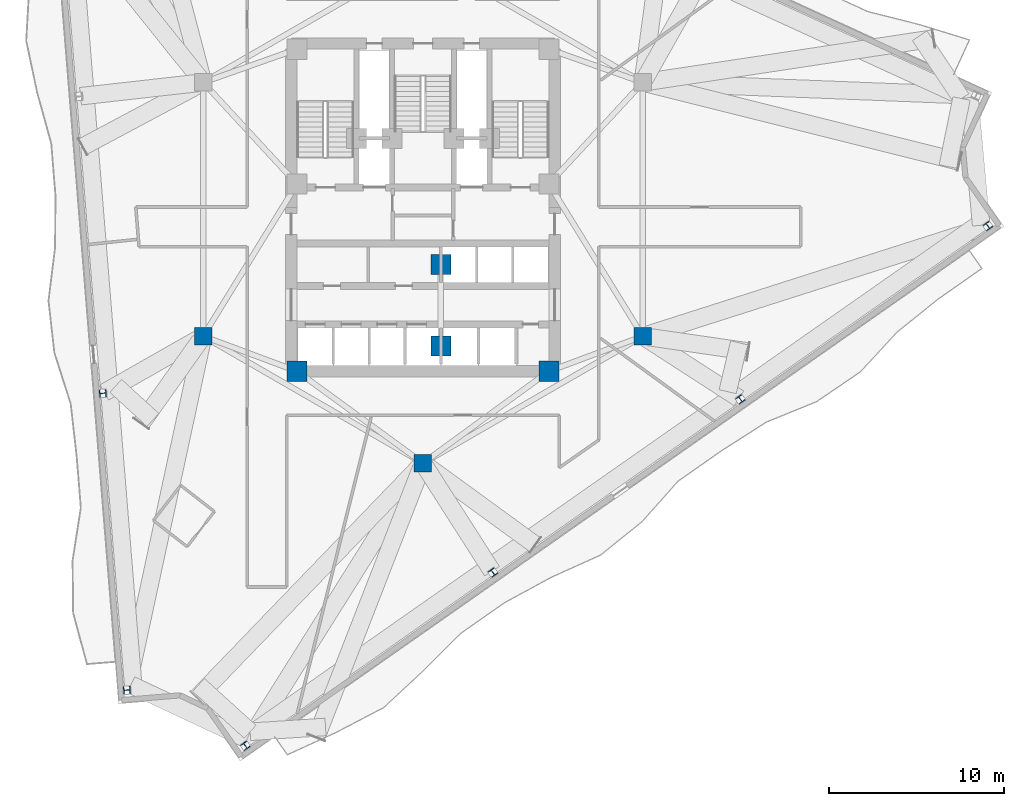
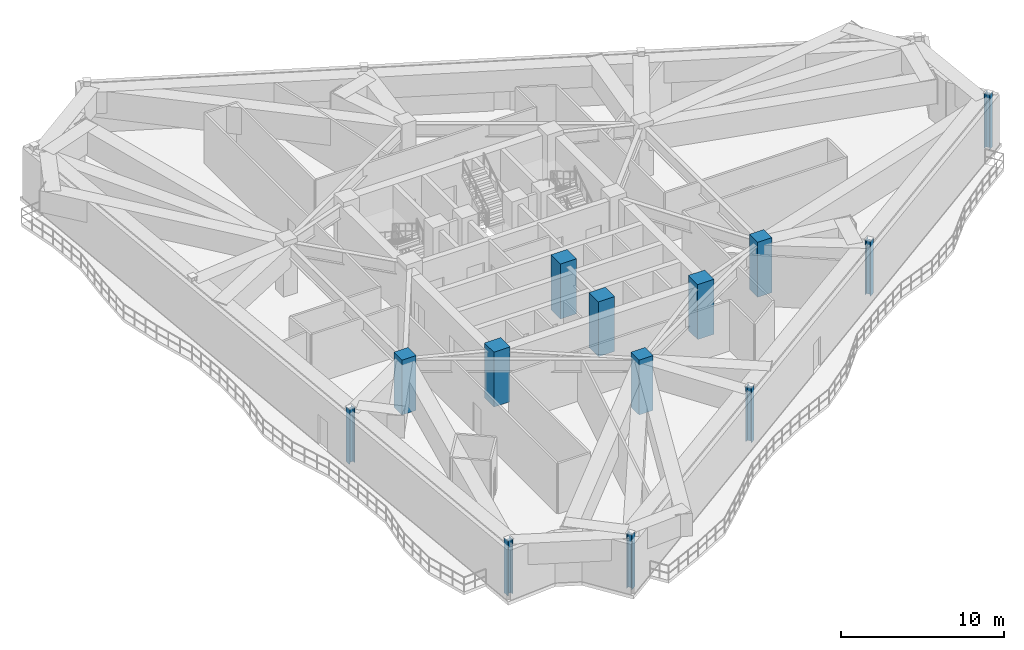
# One storey, part 1 of 14: 13 columns.
"""IFC4 building model written with IfcOpenShell, lengths in metres."""

from ifc_helpers import new_model, si_unit, direction, frame, origin, origin_2d, place, context, subcontext, project, spatial, rectangle, i_section, extrude, material, material_profile, profile_set, type_object, element, save


model = new_model("IFC4")

# Units and contexts
model_context = context("Model", 3, precision=1e-05, world=origin(), true_north=direction((0.0, 1.0)))
body_context = subcontext(model_context, "Body", "Model", "MODEL_VIEW")
ifc_project = project(units=[si_unit("LENGTHUNIT", "METRE"), si_unit("AREAUNIT", "SQUARE_METRE"), si_unit("VOLUMEUNIT", "CUBIC_METRE"), si_unit("PLANEANGLEUNIT", "RADIAN"), si_unit("MASSUNIT", "GRAM", prefix="KILO")], contexts=[model_context])

# Site, building, storey
site_placement = place(None, origin())
site = spatial("IfcSite", under=ifc_project, at=site_placement, CompositionType="ELEMENT")
building_placement = place(site_placement, origin())
building = spatial("IfcBuilding", under=site, at=building_placement, Name="Apsidion Concourse Tower", CompositionType="ELEMENT")
storey_placement = place(building_placement, frame((0.0, 0.0, 222.89990234375)))
storey = spatial("IfcBuildingStorey", under=building, at=storey_placement, Name="L52", CompositionType="ELEMENT", Elevation=222.89990234375)

# Columns
ifc_material_1 = material(Name="Concrete C50/60", Category="concrete")
ifc_material_profile_1 = material_profile(ifc_material_1, rectangle(XDim=1.0, YDim=1.0, at=origin_2d()), Name="RC 1000x1000")
ifc_profile_set_1 = profile_set([ifc_material_profile_1], Name="Concrete C50/60")
column_type_1 = type_object("IfcColumnType", Name="COL-RC-1000", PredefinedType="COLUMN", material=ifc_profile_set_1)
for number, where, z_axis, x_axis, name in (
    (1, (-12.56005859375, -7.25, 0.0), (0.0, 0.0, 1.0), (1.0, 0.0, 0.0), "L52 Interior Spine Column IC1"),
    (2, (12.56005859375, -7.25, 0.0), (0.0, 0.0, 1.0), (1.0, 0.0, 0.0), "L52 Interior Spine Column IC2"),
    (3, (0.0, -14.5, 0.0), (0.0, 0.0, 1.0), (1.0, 0.0, 0.0), "L52 Interior Spine Column IC6"),
):
    element("IfcColumn", number, at=place(storey_placement, frame(where, z_axis=z_axis, x_axis=x_axis)), inside=storey, type_object=column_type_1, Name=name, PredefinedType="COLUMN", context=body_context, shape_type="SweptSolid", body=[
        extrude(rectangle(XDim=1.0, YDim=1.0, at=origin_2d()), origin(), (0.0, 0.0, 1.0), 4.10009765625),
    ])
ifc_material_profile_2 = material_profile(ifc_material_1, rectangle(XDim=1.14990234375, YDim=1.14990234375, at=origin_2d()), Name="RC 1150x1150")
ifc_profile_set_2 = profile_set([ifc_material_profile_2], Name="Concrete C50/60")
column_type_2 = type_object("IfcColumnType", Name="COL-RC-1150", PredefinedType="COLUMN", material=ifc_profile_set_2)
for number, where, z_axis, x_axis, name in (
    (4, (-7.199951171875, -9.25, 0.0), (0.0, 0.0, 1.0), (1.0, 0.0, 0.0), "L52 Core Super-Column SC1"),
    (5, (7.199951171875, -9.25, 0.0), (0.0, 0.0, 1.0), (1.0, 0.0, 0.0), "L52 Core Super-Column SC2"),
    (6, (1.02490234375, -3.14990234375, 0.0), (0.0, 0.0, 1.0), (1.0, 0.0, 0.0), "L52 Core Super-Column CC5"),
    (7, (1.02490234375, -7.800048828125, 0.0), (0.0, 0.0, 1.0), (1.0, 0.0, 0.0), "L52 Core Super-Column CC6"),
):
    element("IfcColumn", number, at=place(storey_placement, frame(where, z_axis=z_axis, x_axis=x_axis)), inside=storey, type_object=column_type_2, Name=name, PredefinedType="COLUMN", context=body_context, shape_type="SweptSolid", body=[
        extrude(rectangle(XDim=1.14990234375, YDim=1.14990234375, at=origin_2d()), origin(), (0.0, 0.0, 1.0), 4.10009765625),
    ])
ifc_material_2 = material(Name="Structural steel ASTM A992 Grade 50", Category="steel")
ifc_material_profile_3 = material_profile(ifc_material_2, i_section(OverallWidth=0.39892578125, OverallDepth=0.385986328125, WebThickness=0.02099609375, FlangeThickness=0.033203125, at=origin_2d()), Name="W14X176")
ifc_profile_set_3 = profile_set([ifc_material_profile_3], Name="Structural steel ASTM A992 Grade 50")
column_type_3 = type_object("IfcColumnType", Name="COL-W14-176", PredefinedType="COLUMN", material=ifc_profile_set_3)
for number, where, z_axis, x_axis, name in (
    (8, (-18.28955078125, -10.510498046875, 0.0), (0.0, 0.0, 1.0), (-0.080720825512, 0.996736749763, 0.0), "L52 Rotated Perimeter Column PC03"),
    (9, (-16.915283203125, -27.47216796875, 0.0), (0.0, 0.0, 1.0), (-0.080720825512, 0.996736749763, 0.0), "L52 Rotated Perimeter Column PC04"),
    (10, (-10.14404296875, -30.65625, 0.0), (0.0, 0.0, 1.0), (0.819152044289, 0.573576436351, 0.0), "L52 Rotated Perimeter Column PC05"),
    (11, (3.996337890625, -20.755126953125, 0.0), (0.0, 0.0, 1.0), (0.819152044289, 0.573576436351, 0.0), "L52 Rotated Perimeter Column PC06"),
    (12, (18.13671875, -10.85400390625, 0.0), (0.0, 0.0, 1.0), (0.819152044289, 0.573576436351, 0.0), "L52 Rotated Perimeter Column PC07"),
    (13, (32.27685546875, -0.952880859375, 0.0), (0.0, 0.0, 1.0), (0.819152044289, 0.573576436351, 0.0), "L52 Rotated Perimeter Column PC08"),
):
    element("IfcColumn", number, at=place(storey_placement, frame(where, z_axis=z_axis, x_axis=x_axis)), inside=storey, type_object=column_type_3, Name=name, PredefinedType="COLUMN", context=body_context, shape_type="SweptSolid", body=[
        extrude(i_section(OverallWidth=0.39892578125, OverallDepth=0.385986328125, WebThickness=0.02099609375, FlangeThickness=0.033203125, at=origin_2d()), origin(), (0.0, 0.0, 1.0), 4.10009765625),
    ])

save(model, "model.ifc")
